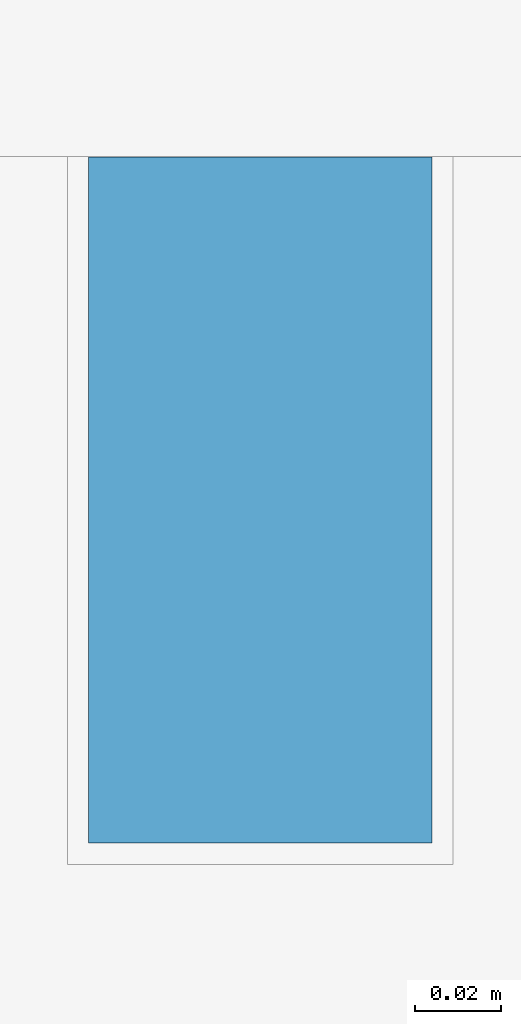
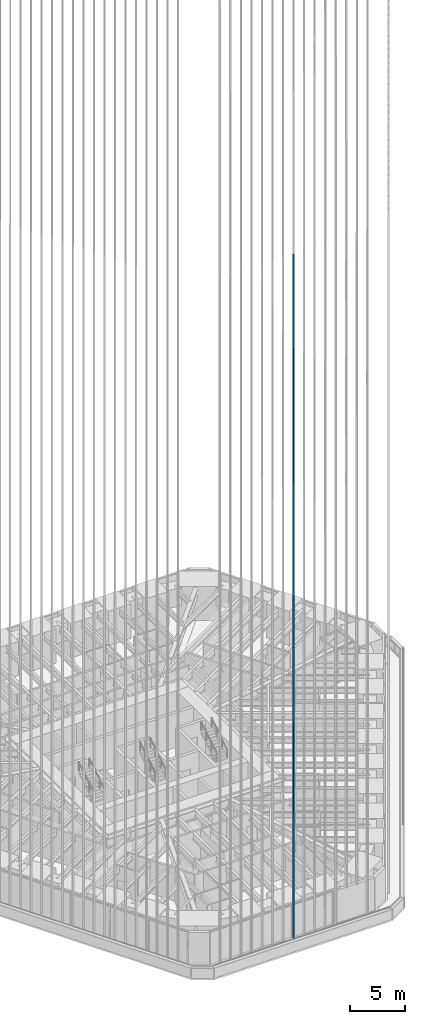
# One storey, part 26 of 238: 1 member, 1 element without a shape of its own.
"""IFC4 building model written with IfcOpenShell, lengths in metres."""

import ifcopenshell
import ifcopenshell.guid

model = None  # the IFC model being written
_history = None  # IfcOwnerHistory: only IFC2X3 demands one
_inside = {}  # id of a spatial element -> (the spatial element, [elements in it])
_under = {}  # id of a project, library or spatial element -> (it, [spatial elements below it])
_declared = {}  # id of a project -> (the project, [libraries it declares])
_typed = {}  # id of a type object -> (the type object, [elements of that type])
_made_of = {}  # id of a material, layer set ... -> (it, [elements and type objects made of it])


def new_model(schema):
    """Start an empty IFC model of exactly this schema.

    Asked for "IFC4X3", IfcOpenShell would pick the latest addendum, in which some entities
    have other attributes; the version numbers below select the first issue.
    IFC2X3 requires an IfcOwnerHistory on every rooted entity: one is made here for all.
    """
    global model, _history
    if schema == "IFC4X3":
        model = ifcopenshell.file(schema_version=(4, 3, 0, 0))
    else:
        model = ifcopenshell.file(schema=schema)
    _inside.clear()
    _under.clear()
    _declared.clear()
    _typed.clear()
    _made_of.clear()
    _history = None
    if model.schema == "IFC2X3":
        org = make("IfcOrganization", Name="unknown")
        user = make(
            "IfcPersonAndOrganization",
            ThePerson=make("IfcPerson", FamilyName="unknown"),
            TheOrganization=org,
        )
        app = make(
            "IfcApplication",
            ApplicationDeveloper=org,
            Version="unknown",
            ApplicationFullName="unknown",
            ApplicationIdentifier="unknown",
        )
        _history = make(
            "IfcOwnerHistory",
            OwningUser=user,
            OwningApplication=app,
            ChangeAction="ADDED",
            CreationDate=0,
        )
    return model


def make(cls, **values):
    """One entity of the class cls with the attributes given. An attribute that is None is left unset."""
    return model.create_entity(
        cls, **{name: value for name, value in values.items() if value is not None}
    )


def rooted(cls, **values):
    """An entity with a GlobalId (a new one), such as an element, a storey or a relation."""
    return make(cls, GlobalId=ifcopenshell.guid.new(), OwnerHistory=_history, **values)


def si_unit(unit_type, name, prefix=None):
    """IfcSIUnit, for example si_unit("LENGTHUNIT", "METRE", prefix="MILLI")."""
    return make("IfcSIUnit", UnitType=unit_type, Prefix=prefix, Name=name)


def assignment(units):
    """IfcUnitAssignment: the units of a project."""
    return None if units is None else make("IfcUnitAssignment", Units=units)


def point(xyz):
    """IfcCartesianPoint."""
    return None if xyz is None else make("IfcCartesianPoint", Coordinates=xyz)


def direction(xyz):
    """IfcDirection."""
    return None if xyz is None else make("IfcDirection", DirectionRatios=xyz)


def frame(location, z_axis=None, x_axis=None):
    """IfcAxis2Placement3D, a coordinate frame: its origin and axes. An axis left out is left unset."""
    return make(
        "IfcAxis2Placement3D",
        Location=point(location),
        Axis=direction(z_axis),
        RefDirection=direction(x_axis),
    )


def frame_2d(location, x_axis=None):
    """IfcAxis2Placement2D, a coordinate frame in the plane: its origin and x axis."""
    return make(
        "IfcAxis2Placement2D", Location=point(location), RefDirection=direction(x_axis)
    )


def origin():
    """The frame at (0, 0, 0) with its axes left unset."""
    return frame((0.0, 0.0, 0.0))


def origin_2d():
    """The frame at (0, 0) in the plane with its x axis left unset."""
    return frame_2d((0.0, 0.0))


def place(relative_to, where):
    """IfcLocalPlacement: puts the frame where relative to a parent placement (None: the world)."""
    return make(
        "IfcLocalPlacement", PlacementRelTo=relative_to, RelativePlacement=where
    )


def context(
    kind, dimensions, precision=None, world=None, true_north=None, identifier=None
):
    """IfcGeometricRepresentationContext, for example the 3D "Model" context."""
    return make(
        "IfcGeometricRepresentationContext",
        ContextIdentifier=identifier,
        ContextType=kind,
        CoordinateSpaceDimension=dimensions,
        Precision=precision,
        WorldCoordinateSystem=world,
        TrueNorth=true_north,
    )


def subcontext(parent, identifier, kind, view, scale=None):
    """IfcGeometricRepresentationSubContext, for example "Body" below "Model"."""
    return make(
        "IfcGeometricRepresentationSubContext",
        ContextIdentifier=identifier,
        ContextType=kind,
        ParentContext=parent,
        TargetScale=scale,
        TargetView=view,
    )


def project(units=None, contexts=None):
    """IfcProject with its units and contexts."""
    return rooted(
        "IfcProject",
        Name="project",
        RepresentationContexts=contexts,
        UnitsInContext=assignment(units),
    )


def spatial(cls, under=None, at=None, **own):
    """A site, building, storey or space (cls), placed at a placement, below another one or the project."""
    s = rooted(cls, ObjectPlacement=at, **own)
    if under is not None:
        _under.setdefault(under.id(), (under, []))[1].append(s)
    return s


def profile(cls, at=None, kind="AREA", **sizes):
    """A parametric profile (cls). Its sizes go by their IFC names, for example OverallWidth=200.0."""
    return make(cls, ProfileType=kind, Position=at, **sizes)


def rectangle(**sizes):
    """IfcRectangleProfileDef."""
    return profile("IfcRectangleProfileDef", **sizes)


def extrude(swept, where, along, depth):
    """IfcExtrudedAreaSolid: the profile swept, set in the frame where, extruded along a direction by depth."""
    return make(
        "IfcExtrudedAreaSolid",
        SweptArea=swept,
        Position=where,
        ExtrudedDirection=direction(along),
        Depth=depth,
    )


def shape(context_of_items, identifier, shape_type, items):
    """IfcShapeRepresentation: the items that make up one representation, for example the "Body"."""
    return make(
        "IfcShapeRepresentation",
        ContextOfItems=context_of_items,
        RepresentationIdentifier=identifier,
        RepresentationType=shape_type,
        Items=items,
    )


def material(Name=None, Category=None):
    """IfcMaterial."""
    return make("IfcMaterial", Name=Name, Category=Category)


def material_profile(
    of_material, cross_section, Name=None, Category=None, Priority=None
):
    """IfcMaterialProfile: a cross section and its material."""
    return make(
        "IfcMaterialProfile",
        Name=Name,
        Material=of_material,
        Profile=cross_section,
        Priority=Priority,
        Category=Category,
    )


def profile_set(profiles, Name=None, composite=None):
    """IfcMaterialProfileSet."""
    return make(
        "IfcMaterialProfileSet",
        Name=Name,
        MaterialProfiles=profiles,
        CompositeProfile=composite,
    )


def made_of(thing, what):
    """Note that an element or type object is made of a material, layer set ...; save() writes the relation."""
    if what is not None:
        _made_of.setdefault(what.id(), (what, []))[1].append(thing)
    return thing


def type_object(cls, material=None, **own):
    """A type object (cls), such as IfcWallType, which elements share."""
    return made_of(rooted(cls, **own), material)


def element(
    cls,
    number,
    at=None,
    inside=None,
    cuts=None,
    type_object=None,
    material=None,
    context=None,
    identifier="Body",
    shape_type=None,
    held_by="IfcProductDefinitionShape",
    body=None,
    shapes=None,
    **own,
):
    """One element of the class cls, such as IfcWall. Its Tag is "e" and its number.

    at: its placement. inside: the storey or other place that contains it. cuts: it is an
    opening in that element (IfcRelVoidsElement). A single representation is given by context,
    identifier, shape_type and body (its items); several are given by shapes. held_by: the class
    of the entity that holds the representations. save() writes the other relations.
    """
    e = rooted(cls, Tag="e%d" % number, ObjectPlacement=at, **own)
    if body is not None:
        shapes = [shape(context, identifier, shape_type, body)]
    if shapes is not None:
        e.Representation = make(held_by, Representations=shapes)
    if inside is not None:
        _inside.setdefault(inside.id(), (inside, []))[1].append(e)
    if cuts is not None:
        rooted(
            "IfcRelVoidsElement", RelatingBuildingElement=cuts, RelatedOpeningElement=e
        )
    if type_object is not None:
        _typed.setdefault(type_object.id(), (type_object, []))[1].append(e)
    return made_of(e, material)


def aggregate(whole, parts):
    """IfcRelAggregates: a whole, such as a stair, and the parts it consists of."""
    return rooted("IfcRelAggregates", RelatingObject=whole, RelatedObjects=parts)


def save(model, path):
    """Write the relations noted so far, then the file.

    IfcRelAggregates (storeys below a building ...), IfcRelContainedInSpatialStructure (elements
    in a storey), IfcRelDefinesByType, IfcRelAssociatesMaterial and IfcRelDeclares: one each for
    every whole, place, type object, material and project.
    """
    for whole, parts in _under.values():
        aggregate(whole, parts)
    for where, things in _inside.values():
        rooted(
            "IfcRelContainedInSpatialStructure",
            RelatedElements=things,
            RelatingStructure=where,
        )
    for kind, things in _typed.values():
        rooted("IfcRelDefinesByType", RelatedObjects=things, RelatingType=kind)
    for what, things in _made_of.values():
        rooted("IfcRelAssociatesMaterial", RelatedObjects=things, RelatingMaterial=what)
    for by, libraries in _declared.values():
        rooted("IfcRelDeclares", RelatingContext=by, RelatedDefinitions=libraries)
    model.write(path)


model = new_model("IFC4")

# Units and contexts
model_context = context("Model", 3, precision=1e-05, world=origin(), true_north=direction((0.0, 1.0)))
body_context = subcontext(model_context, "Body", "Model", "MODEL_VIEW")
ifc_project = project(units=[si_unit("LENGTHUNIT", "METRE"), si_unit("AREAUNIT", "SQUARE_METRE"), si_unit("VOLUMEUNIT", "CUBIC_METRE"), si_unit("PLANEANGLEUNIT", "RADIAN"), si_unit("MASSUNIT", "GRAM", prefix="KILO")], contexts=[model_context])

# Site, building, storey
site_placement = place(None, origin())
site = spatial("IfcSite", under=ifc_project, at=site_placement, CompositionType="ELEMENT")
building_placement = place(site_placement, origin())
building = spatial("IfcBuilding", under=site, at=building_placement, Name="Sandreach Pilgrim Tower", CompositionType="ELEMENT")
storey_placement = place(building_placement, frame((0.0, 0.0, 96.800048828125)))
storey = spatial("IfcBuildingStorey", under=building, at=storey_placement, Name="L23", CompositionType="ELEMENT", Elevation=96.800048828125)

# Curtain wall, member
ifc_material_1 = material(Name="Aluminium framed curtain wall", Category="aluminium")
curtain_wall_type = type_object("IfcCurtainWallType", Name="Hotel tower curtain wall", PredefinedType="NOTDEFINED", material=ifc_material_1)
curtain_wall_placement = place(storey_placement, origin())
curtain_wall = element("IfcCurtainWall", 1, at=curtain_wall_placement, inside=storey, type_object=curtain_wall_type, Name="CW-2 L23 SA", PredefinedType="NOTDEFINED")
ifc_material_2 = material(Name="Extruded terracotta on aluminium core", Category="masonry")
ifc_material_profile = material_profile(ifc_material_2, rectangle(XDim=0.080078125, YDim=0.159912109375, at=origin_2d()), Name="TBS 80X160")
ifc_profile_set = profile_set([ifc_material_profile], Name="Extruded terracotta on aluminium core")
member_type = type_object("IfcMemberType", Name="Terracotta baguette south", PredefinedType="USERDEFINED", material=ifc_profile_set)
member_placement = place(storey_placement, frame((0.0, -28.572265625, 0.0), z_axis=(0.0, 0.0, 1.0), x_axis=(-1.0, 0.0, 0.0)))
member = element("IfcMember", 2, at=member_placement, type_object=member_type, Name="Baguette Z2 S08", ObjectType="BAGUETTE", PredefinedType="USERDEFINED", context=body_context, shape_type="SweptSolid", body=[
    extrude(rectangle(XDim=0.080078125, YDim=0.159912109375, at=origin_2d()), origin(), (0.0, 0.0, 1.0), 75.83984375),
])
aggregate(curtain_wall, [member])

save(model, "model.ifc")
